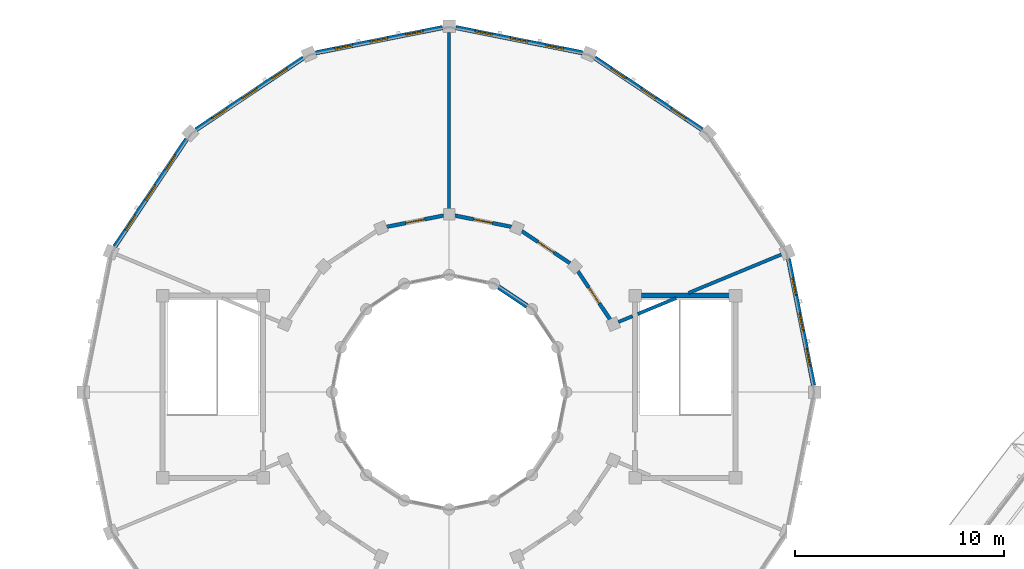
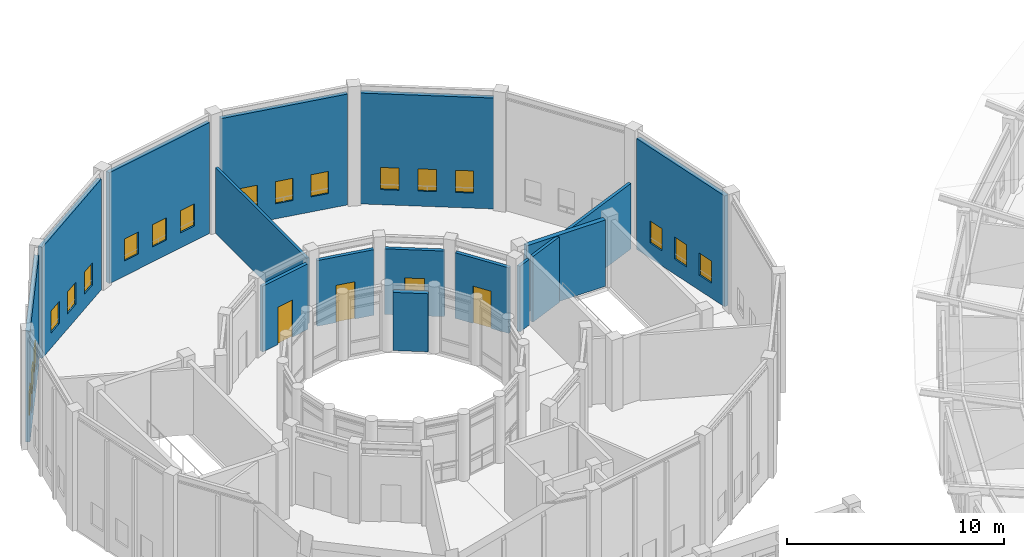
# One storey, part 129 of 149: 18 windows, 16 walls, 4 doors, 22 openings.
"""IFC4 building model written with IfcOpenShell, lengths in metres."""

from ifc_helpers import new_model, si_unit, direction, frame, frame_2d, origin, place, context, subcontext, project, spatial, rectangle, extrude, material, layer, layer_set, type_object, element, fill, save


model = new_model("IFC4")

# Units and contexts
model_context = context("Model", 3, precision=1e-05, world=origin(), true_north=direction((0.0, 1.0)))
body_context = subcontext(model_context, "Body", "Model", "MODEL_VIEW")
ifc_project = project(units=[si_unit("LENGTHUNIT", "METRE"), si_unit("AREAUNIT", "SQUARE_METRE"), si_unit("VOLUMEUNIT", "CUBIC_METRE"), si_unit("PLANEANGLEUNIT", "RADIAN"), si_unit("MASSUNIT", "GRAM", prefix="KILO")], contexts=[model_context])

# Site, building, storey
site_placement = place(None, origin())
site = spatial("IfcSite", under=ifc_project, at=site_placement, CompositionType="ELEMENT")
building_placement = place(site_placement, origin())
building = spatial("IfcBuilding", under=site, at=building_placement, Name="Celadon Cloister-Ring School", CompositionType="ELEMENT")
storey_placement = place(building_placement, frame((0.0, 0.0, 12.5)))
storey = spatial("IfcBuildingStorey", under=building, at=storey_placement, Name="L03", CompositionType="ELEMENT", Elevation=12.5)

# Wall
ifc_material_1 = material(Name="Rendered concrete blockwork", Category="masonry")
ifc_layer_1 = layer(ifc_material_1, 0.239990234375)
ifc_layer_set_1 = layer_set([ifc_layer_1], Name="Rendered concrete blockwork")
wall_type_1 = type_object("IfcWallType", Name="WT-EX3", PredefinedType="SOLIDWALL", material=ifc_layer_set_1)
wall_1_placement = place(storey_placement, frame((23.929931640625, 101.114013671875, 0.0), z_axis=(0.0, 0.0, 1.0), x_axis=(-0.83165874011, 0.555287078904, 0.0)))
element("IfcWall", 1, at=wall_1_placement, inside=storey, type_object=wall_type_1, Name="Exterior Wall 0274", PredefinedType="SOLIDWALL", context=body_context, shape_type="SweptSolid", body=[
    extrude(rectangle(XDim=1.631591796875, YDim=0.239990234375, at=frame_2d((0.81591796875, 0.0))), origin(), (0.0, 0.0, 1.0), 3.27490234375),
])

# Wall, openings, windows
ifc_material_2 = material(Name="Perforated terracotta clay brick masonry", Category="masonry")
ifc_layer_2 = layer(ifc_material_2, 0.219970703125)
ifc_layer_set_2 = layer_set([ifc_layer_2], Name="Perforated terracotta clay brick masonry")
wall_type_2 = type_object("IfcWallType", Name="WT-EX4", PredefinedType="SOLIDWALL", material=ifc_layer_set_2)
wall_2_placement = place(storey_placement, frame((36.431884765625, 103.3740234375, 0.0), z_axis=(0.0, 0.0, 1.0), x_axis=(0.195164813773, -0.980770460131, 0.0)))
wall_2 = element("IfcWall", 2, at=wall_2_placement, inside=storey, type_object=wall_type_2, Name="Exterior Wall 0271", PredefinedType="SOLIDWALL", context=body_context, shape_type="SweptSolid", body=[
    extrude(rectangle(XDim=6.169677734375, YDim=0.219970703125, at=frame_2d((3.0849609375, 0.0))), origin(), (0.0, 0.0, 1.0), 6.25),
])
opening_1_placement = place(wall_2_placement, frame((0.931884765625, 0.0, 0.85009765625)))
opening_1 = element("IfcOpeningElement", 3, at=opening_1_placement, cuts=wall_2, Name="Opening WN-11", PredefinedType="OPENING", context=body_context, shape_type="SweptSolid", body=[
    extrude(rectangle(XDim=0.85009765625, YDim=1.25, at=frame_2d((0.425048828125, 0.625))), frame((0.0, 0.1201171875, 0.0), z_axis=(0.0, -1.0, 0.0), x_axis=(1.0, 0.0, 0.0)), (0.0, 0.0, 1.0), 0.239990234375),
])
opening_2_placement = place(wall_2_placement, frame((2.659912109375, 0.0, 0.85009765625)))
opening_2 = element("IfcOpeningElement", 4, at=opening_2_placement, cuts=wall_2, Name="Opening WN-11", PredefinedType="OPENING", context=body_context, shape_type="SweptSolid", body=[
    extrude(rectangle(XDim=0.85009765625, YDim=1.25, at=frame_2d((0.425048828125, 0.625))), frame((0.0, 0.1201171875, 0.0), z_axis=(0.0, -1.0, 0.0), x_axis=(1.0, 0.0, 0.0)), (0.0, 0.0, 1.0), 0.239990234375),
])
opening_3_placement = place(wall_2_placement, frame((4.386962890625, 0.0, 0.85009765625)))
opening_3 = element("IfcOpeningElement", 5, at=opening_3_placement, cuts=wall_2, Name="Opening WN-11", PredefinedType="OPENING", context=body_context, shape_type="SweptSolid", body=[
    extrude(rectangle(XDim=0.85009765625, YDim=1.25, at=frame_2d((0.425048828125, 0.625))), frame((0.0, 0.1201171875, 0.0), z_axis=(0.0, -1.0, 0.0), x_axis=(1.0, 0.0, 0.0)), (0.0, 0.0, 1.0), 0.239990234375),
])
ifc_material_3 = material(Name="Tempered laminated insulating glass", Category="glass")
window_type = type_object("IfcWindowType", Name="WN-11", PartitioningType="SINGLE_PANEL", PredefinedType="WINDOW", material=ifc_material_3)
window_1_placement = place(opening_1_placement, origin())
window_1 = element("IfcWindow", 6, at=window_1_placement, inside=storey, type_object=window_type, Name="Window 0714", OverallHeight=1.25, OverallWidth=0.85009765625, PartitioningType="SINGLE_PANEL", PredefinedType="WINDOW", context=body_context, shape_type="SweptSolid", body=[
    extrude(rectangle(XDim=0.85009765625, YDim=1.25, at=frame_2d((0.425048828125, 0.625))), frame((0.0, 0.030029296875, 0.0), z_axis=(0.0, -1.0, 0.0), x_axis=(1.0, 0.0, 0.0)), (0.0, 0.0, 1.0), 0.06005859375),
])
fill(opening_1, window_1)
window_2_placement = place(opening_2_placement, origin())
window_2 = element("IfcWindow", 7, at=window_2_placement, inside=storey, type_object=window_type, Name="Window 0715", OverallHeight=1.25, OverallWidth=0.85009765625, PartitioningType="SINGLE_PANEL", PredefinedType="WINDOW", context=body_context, shape_type="SweptSolid", body=[
    extrude(rectangle(XDim=0.85009765625, YDim=1.25, at=frame_2d((0.425048828125, 0.625))), frame((0.0, 0.030029296875, 0.0), z_axis=(0.0, -1.0, 0.0), x_axis=(1.0, 0.0, 0.0)), (0.0, 0.0, 1.0), 0.06005859375),
])
fill(opening_2, window_2)
window_3_placement = place(opening_3_placement, origin())
window_3 = element("IfcWindow", 8, at=window_3_placement, inside=storey, type_object=window_type, Name="Window 0716", OverallHeight=1.25, OverallWidth=0.85009765625, PartitioningType="SINGLE_PANEL", PredefinedType="WINDOW", context=body_context, shape_type="SweptSolid", body=[
    extrude(rectangle(XDim=0.85009765625, YDim=1.25, at=frame_2d((0.425048828125, 0.625))), frame((0.0, 0.030029296875, 0.0), z_axis=(0.0, -1.0, 0.0), x_axis=(1.0, 0.0, 0.0)), (0.0, 0.0, 1.0), 0.06005859375),
])
fill(opening_3, window_3)

wall_3_placement = place(storey_placement, frame((27.1708984375, 112.985107421875, 0.0), z_axis=(0.0, 0.0, 1.0), x_axis=(0.831392186772, -0.55568609104, 0.0)))
wall_3 = element("IfcWall", 9, at=wall_3_placement, inside=storey, type_object=wall_type_2, Name="Exterior Wall 0273", PredefinedType="SOLIDWALL", context=body_context, shape_type="SweptSolid", body=[
    extrude(rectangle(XDim=6.16943359375, YDim=0.219970703125, at=frame_2d((3.084716796875, 0.0))), origin(), (0.0, 0.0, 1.0), 6.25),
])
opening_4_placement = place(wall_3_placement, frame((0.931884765625, 0.0, 0.85009765625)))
opening_4 = element("IfcOpeningElement", 10, at=opening_4_placement, cuts=wall_3, Name="Opening WN-11", PredefinedType="OPENING", context=body_context, shape_type="SweptSolid", body=[
    extrude(rectangle(XDim=0.85009765625, YDim=1.25, at=frame_2d((0.425048828125, 0.625))), frame((0.0, 0.1201171875, 0.0), z_axis=(0.0, -1.0, 0.0), x_axis=(1.0, 0.0, 0.0)), (0.0, 0.0, 1.0), 0.239990234375),
])
opening_5_placement = place(wall_3_placement, frame((2.659912109375, 0.0, 0.85009765625)))
opening_5 = element("IfcOpeningElement", 11, at=opening_5_placement, cuts=wall_3, Name="Opening WN-11", PredefinedType="OPENING", context=body_context, shape_type="SweptSolid", body=[
    extrude(rectangle(XDim=0.85009765625, YDim=1.25, at=frame_2d((0.425048828125, 0.625))), frame((0.0, 0.1201171875, 0.0), z_axis=(0.0, -1.0, 0.0), x_axis=(1.0, 0.0, 0.0)), (0.0, 0.0, 1.0), 0.239990234375),
])
opening_6_placement = place(wall_3_placement, frame((4.386962890625, 0.0, 0.85009765625)))
opening_6 = element("IfcOpeningElement", 12, at=opening_6_placement, cuts=wall_3, Name="Opening WN-11", PredefinedType="OPENING", context=body_context, shape_type="SweptSolid", body=[
    extrude(rectangle(XDim=0.85009765625, YDim=1.25, at=frame_2d((0.425048828125, 0.625))), frame((0.0, 0.1201171875, 0.0), z_axis=(0.0, -1.0, 0.0), x_axis=(1.0, 0.0, 0.0)), (0.0, 0.0, 1.0), 0.239990234375),
])
window_4_placement = place(opening_4_placement, origin())
window_4 = element("IfcWindow", 13, at=window_4_placement, inside=storey, type_object=window_type, Name="Window 0720", OverallHeight=1.25, OverallWidth=0.85009765625, PartitioningType="SINGLE_PANEL", PredefinedType="WINDOW", context=body_context, shape_type="SweptSolid", body=[
    extrude(rectangle(XDim=0.85009765625, YDim=1.25, at=frame_2d((0.425048828125, 0.625))), frame((0.0, 0.030029296875, 0.0), z_axis=(0.0, -1.0, 0.0), x_axis=(1.0, 0.0, 0.0)), (0.0, 0.0, 1.0), 0.06005859375),
])
fill(opening_4, window_4)
window_5_placement = place(opening_5_placement, origin())
window_5 = element("IfcWindow", 14, at=window_5_placement, inside=storey, type_object=window_type, Name="Window 0721", OverallHeight=1.25, OverallWidth=0.85009765625, PartitioningType="SINGLE_PANEL", PredefinedType="WINDOW", context=body_context, shape_type="SweptSolid", body=[
    extrude(rectangle(XDim=0.85009765625, YDim=1.25, at=frame_2d((0.425048828125, 0.625))), frame((0.0, 0.030029296875, 0.0), z_axis=(0.0, -1.0, 0.0), x_axis=(1.0, 0.0, 0.0)), (0.0, 0.0, 1.0), 0.06005859375),
])
fill(opening_5, window_5)
window_6_placement = place(opening_6_placement, origin())
window_6 = element("IfcWindow", 15, at=window_6_placement, inside=storey, type_object=window_type, Name="Window 0722", OverallHeight=1.25, OverallWidth=0.85009765625, PartitioningType="SINGLE_PANEL", PredefinedType="WINDOW", context=body_context, shape_type="SweptSolid", body=[
    extrude(rectangle(XDim=0.85009765625, YDim=1.25, at=frame_2d((0.425048828125, 0.625))), frame((0.0, 0.030029296875, 0.0), z_axis=(0.0, -1.0, 0.0), x_axis=(1.0, 0.0, 0.0)), (0.0, 0.0, 1.0), 0.06005859375),
])
fill(opening_6, window_6)

wall_4_placement = place(storey_placement, frame((20.52294921875, 114.43603515625, 0.0), z_axis=(0.0, 0.0, 1.0), x_axis=(0.980770460131, -0.195164813773, 0.0)))
wall_4 = element("IfcWall", 16, at=wall_4_placement, inside=storey, type_object=wall_type_2, Name="Exterior Wall 0275", PredefinedType="SOLIDWALL", context=body_context, shape_type="SweptSolid", body=[
    extrude(rectangle(XDim=6.169677734375, YDim=0.219970703125, at=frame_2d((3.0849609375, 0.0))), origin(), (0.0, 0.0, 1.0), 6.25),
])
opening_7_placement = place(wall_4_placement, frame((0.931884765625, 0.0, 0.85009765625)))
opening_7 = element("IfcOpeningElement", 17, at=opening_7_placement, cuts=wall_4, Name="Opening WN-11", PredefinedType="OPENING", context=body_context, shape_type="SweptSolid", body=[
    extrude(rectangle(XDim=0.85009765625, YDim=1.25, at=frame_2d((0.425048828125, 0.625))), frame((0.0, 0.1201171875, 0.0), z_axis=(0.0, -1.0, 0.0), x_axis=(1.0, 0.0, 0.0)), (0.0, 0.0, 1.0), 0.239990234375),
])
opening_8_placement = place(wall_4_placement, frame((2.659912109375, 0.0, 0.85009765625)))
opening_8 = element("IfcOpeningElement", 18, at=opening_8_placement, cuts=wall_4, Name="Opening WN-11", PredefinedType="OPENING", context=body_context, shape_type="SweptSolid", body=[
    extrude(rectangle(XDim=0.85009765625, YDim=1.25, at=frame_2d((0.425048828125, 0.625))), frame((0.0, 0.1201171875, 0.0), z_axis=(0.0, -1.0, 0.0), x_axis=(1.0, 0.0, 0.0)), (0.0, 0.0, 1.0), 0.239990234375),
])
opening_9_placement = place(wall_4_placement, frame((4.386962890625, 0.0, 0.85009765625)))
opening_9 = element("IfcOpeningElement", 19, at=opening_9_placement, cuts=wall_4, Name="Opening WN-11", PredefinedType="OPENING", context=body_context, shape_type="SweptSolid", body=[
    extrude(rectangle(XDim=0.85009765625, YDim=1.25, at=frame_2d((0.425048828125, 0.625))), frame((0.0, 0.1201171875, 0.0), z_axis=(0.0, -1.0, 0.0), x_axis=(1.0, 0.0, 0.0)), (0.0, 0.0, 1.0), 0.239990234375),
])
window_7_placement = place(opening_7_placement, origin())
window_7 = element("IfcWindow", 20, at=window_7_placement, inside=storey, type_object=window_type, Name="Window 0723", OverallHeight=1.25, OverallWidth=0.85009765625, PartitioningType="SINGLE_PANEL", PredefinedType="WINDOW", context=body_context, shape_type="SweptSolid", body=[
    extrude(rectangle(XDim=0.85009765625, YDim=1.25, at=frame_2d((0.425048828125, 0.625))), frame((0.0, 0.030029296875, 0.0), z_axis=(0.0, -1.0, 0.0), x_axis=(1.0, 0.0, 0.0)), (0.0, 0.0, 1.0), 0.06005859375),
])
fill(opening_7, window_7)
window_8_placement = place(opening_8_placement, origin())
window_8 = element("IfcWindow", 21, at=window_8_placement, inside=storey, type_object=window_type, Name="Window 0724", OverallHeight=1.25, OverallWidth=0.85009765625, PartitioningType="SINGLE_PANEL", PredefinedType="WINDOW", context=body_context, shape_type="SweptSolid", body=[
    extrude(rectangle(XDim=0.85009765625, YDim=1.25, at=frame_2d((0.425048828125, 0.625))), frame((0.0, 0.030029296875, 0.0), z_axis=(0.0, -1.0, 0.0), x_axis=(1.0, 0.0, 0.0)), (0.0, 0.0, 1.0), 0.06005859375),
])
fill(opening_8, window_8)
window_9_placement = place(opening_9_placement, origin())
window_9 = element("IfcWindow", 22, at=window_9_placement, inside=storey, type_object=window_type, Name="Window 0725", OverallHeight=1.25, OverallWidth=0.85009765625, PartitioningType="SINGLE_PANEL", PredefinedType="WINDOW", context=body_context, shape_type="SweptSolid", body=[
    extrude(rectangle(XDim=0.85009765625, YDim=1.25, at=frame_2d((0.425048828125, 0.625))), frame((0.0, 0.030029296875, 0.0), z_axis=(0.0, -1.0, 0.0), x_axis=(1.0, 0.0, 0.0)), (0.0, 0.0, 1.0), 0.06005859375),
])
fill(opening_9, window_9)

wall_5_placement = place(storey_placement, frame((13.825927734375, 113.23193359375, 0.0), z_axis=(0.0, 0.0, 1.0), x_axis=(0.980770460131, 0.195164813773, 0.0)))
wall_5 = element("IfcWall", 23, at=wall_5_placement, inside=storey, type_object=wall_type_2, Name="Exterior Wall 0276", PredefinedType="SOLIDWALL", context=body_context, shape_type="SweptSolid", body=[
    extrude(rectangle(XDim=6.169677734375, YDim=0.219970703125, at=frame_2d((3.0849609375, 0.0))), origin(), (0.0, 0.0, 1.0), 6.25),
])
opening_10_placement = place(wall_5_placement, frame((0.931884765625, 0.0, 0.85009765625)))
opening_10 = element("IfcOpeningElement", 24, at=opening_10_placement, cuts=wall_5, Name="Opening WN-11", PredefinedType="OPENING", context=body_context, shape_type="SweptSolid", body=[
    extrude(rectangle(XDim=0.85009765625, YDim=1.25, at=frame_2d((0.425048828125, 0.625))), frame((0.0, 0.1201171875, 0.0), z_axis=(0.0, -1.0, 0.0), x_axis=(1.0, 0.0, 0.0)), (0.0, 0.0, 1.0), 0.239990234375),
])
opening_11_placement = place(wall_5_placement, frame((2.659912109375, 0.0, 0.85009765625)))
opening_11 = element("IfcOpeningElement", 25, at=opening_11_placement, cuts=wall_5, Name="Opening WN-11", PredefinedType="OPENING", context=body_context, shape_type="SweptSolid", body=[
    extrude(rectangle(XDim=0.85009765625, YDim=1.25, at=frame_2d((0.425048828125, 0.625))), frame((0.0, 0.1201171875, 0.0), z_axis=(0.0, -1.0, 0.0), x_axis=(1.0, 0.0, 0.0)), (0.0, 0.0, 1.0), 0.239990234375),
])
opening_12_placement = place(wall_5_placement, frame((4.386962890625, 0.0, 0.85009765625)))
opening_12 = element("IfcOpeningElement", 26, at=opening_12_placement, cuts=wall_5, Name="Opening WN-11", PredefinedType="OPENING", context=body_context, shape_type="SweptSolid", body=[
    extrude(rectangle(XDim=0.85009765625, YDim=1.25, at=frame_2d((0.425048828125, 0.625))), frame((0.0, 0.1201171875, 0.0), z_axis=(0.0, -1.0, 0.0), x_axis=(1.0, 0.0, 0.0)), (0.0, 0.0, 1.0), 0.239990234375),
])
window_10_placement = place(opening_10_placement, origin())
window_10 = element("IfcWindow", 27, at=window_10_placement, inside=storey, type_object=window_type, Name="Window 0726", OverallHeight=1.25, OverallWidth=0.85009765625, PartitioningType="SINGLE_PANEL", PredefinedType="WINDOW", context=body_context, shape_type="SweptSolid", body=[
    extrude(rectangle(XDim=0.85009765625, YDim=1.25, at=frame_2d((0.425048828125, 0.625))), frame((0.0, 0.030029296875, 0.0), z_axis=(0.0, -1.0, 0.0), x_axis=(1.0, 0.0, 0.0)), (0.0, 0.0, 1.0), 0.06005859375),
])
fill(opening_10, window_10)
window_11_placement = place(opening_11_placement, origin())
window_11 = element("IfcWindow", 28, at=window_11_placement, inside=storey, type_object=window_type, Name="Window 0727", OverallHeight=1.25, OverallWidth=0.85009765625, PartitioningType="SINGLE_PANEL", PredefinedType="WINDOW", context=body_context, shape_type="SweptSolid", body=[
    extrude(rectangle(XDim=0.85009765625, YDim=1.25, at=frame_2d((0.425048828125, 0.625))), frame((0.0, 0.030029296875, 0.0), z_axis=(0.0, -1.0, 0.0), x_axis=(1.0, 0.0, 0.0)), (0.0, 0.0, 1.0), 0.06005859375),
])
fill(opening_11, window_11)
window_12_placement = place(opening_12_placement, origin())
window_12 = element("IfcWindow", 29, at=window_12_placement, inside=storey, type_object=window_type, Name="Window 0728", OverallHeight=1.25, OverallWidth=0.85009765625, PartitioningType="SINGLE_PANEL", PredefinedType="WINDOW", context=body_context, shape_type="SweptSolid", body=[
    extrude(rectangle(XDim=0.85009765625, YDim=1.25, at=frame_2d((0.425048828125, 0.625))), frame((0.0, 0.030029296875, 0.0), z_axis=(0.0, -1.0, 0.0), x_axis=(1.0, 0.0, 0.0)), (0.0, 0.0, 1.0), 0.06005859375),
])
fill(opening_12, window_12)

wall_6_placement = place(storey_placement, frame((8.10009765625, 109.556884765625, 0.0), z_axis=(0.0, 0.0, 1.0), x_axis=(0.831379966495, 0.555704374025, 0.0)))
wall_6 = element("IfcWall", 30, at=wall_6_placement, inside=storey, type_object=wall_type_2, Name="Exterior Wall 0277", PredefinedType="SOLIDWALL", context=body_context, shape_type="SweptSolid", body=[
    extrude(rectangle(XDim=6.169189453125, YDim=0.219970703125, at=frame_2d((3.08447265625, 0.0))), origin(), (0.0, 0.0, 1.0), 6.25),
])
opening_13_placement = place(wall_6_placement, frame((0.931884765625, 0.0, 0.85009765625)))
opening_13 = element("IfcOpeningElement", 31, at=opening_13_placement, cuts=wall_6, Name="Opening WN-11", PredefinedType="OPENING", context=body_context, shape_type="SweptSolid", body=[
    extrude(rectangle(XDim=0.85009765625, YDim=1.25, at=frame_2d((0.425048828125, 0.625))), frame((0.0, 0.1201171875, 0.0), z_axis=(0.0, -1.0, 0.0), x_axis=(1.0, 0.0, 0.0)), (0.0, 0.0, 1.0), 0.239990234375),
])
opening_14_placement = place(wall_6_placement, frame((2.659912109375, 0.0, 0.85009765625)))
opening_14 = element("IfcOpeningElement", 32, at=opening_14_placement, cuts=wall_6, Name="Opening WN-11", PredefinedType="OPENING", context=body_context, shape_type="SweptSolid", body=[
    extrude(rectangle(XDim=0.85009765625, YDim=1.25, at=frame_2d((0.425048828125, 0.625))), frame((0.0, 0.1201171875, 0.0), z_axis=(0.0, -1.0, 0.0), x_axis=(1.0, 0.0, 0.0)), (0.0, 0.0, 1.0), 0.239990234375),
])
opening_15_placement = place(wall_6_placement, frame((4.386962890625, 0.0, 0.85009765625)))
opening_15 = element("IfcOpeningElement", 33, at=opening_15_placement, cuts=wall_6, Name="Opening WN-11", PredefinedType="OPENING", context=body_context, shape_type="SweptSolid", body=[
    extrude(rectangle(XDim=0.85009765625, YDim=1.25, at=frame_2d((0.425048828125, 0.625))), frame((0.0, 0.1201171875, 0.0), z_axis=(0.0, -1.0, 0.0), x_axis=(1.0, 0.0, 0.0)), (0.0, 0.0, 1.0), 0.239990234375),
])
window_13_placement = place(opening_13_placement, origin())
window_13 = element("IfcWindow", 34, at=window_13_placement, inside=storey, type_object=window_type, Name="Window 0729", OverallHeight=1.25, OverallWidth=0.85009765625, PartitioningType="SINGLE_PANEL", PredefinedType="WINDOW", context=body_context, shape_type="SweptSolid", body=[
    extrude(rectangle(XDim=0.85009765625, YDim=1.25, at=frame_2d((0.425048828125, 0.625))), frame((0.0, 0.030029296875, 0.0), z_axis=(0.0, -1.0, 0.0), x_axis=(1.0, 0.0, 0.0)), (0.0, 0.0, 1.0), 0.06005859375),
])
fill(opening_13, window_13)
window_14_placement = place(opening_14_placement, origin())
window_14 = element("IfcWindow", 35, at=window_14_placement, inside=storey, type_object=window_type, Name="Window 0730", OverallHeight=1.25, OverallWidth=0.85009765625, PartitioningType="SINGLE_PANEL", PredefinedType="WINDOW", context=body_context, shape_type="SweptSolid", body=[
    extrude(rectangle(XDim=0.85009765625, YDim=1.25, at=frame_2d((0.425048828125, 0.625))), frame((0.0, 0.030029296875, 0.0), z_axis=(0.0, -1.0, 0.0), x_axis=(1.0, 0.0, 0.0)), (0.0, 0.0, 1.0), 0.06005859375),
])
fill(opening_14, window_14)
window_15_placement = place(opening_15_placement, origin())
window_15 = element("IfcWindow", 36, at=window_15_placement, inside=storey, type_object=window_type, Name="Window 0731", OverallHeight=1.25, OverallWidth=0.85009765625, PartitioningType="SINGLE_PANEL", PredefinedType="WINDOW", context=body_context, shape_type="SweptSolid", body=[
    extrude(rectangle(XDim=0.85009765625, YDim=1.25, at=frame_2d((0.425048828125, 0.625))), frame((0.0, 0.030029296875, 0.0), z_axis=(0.0, -1.0, 0.0), x_axis=(1.0, 0.0, 0.0)), (0.0, 0.0, 1.0), 0.06005859375),
])
fill(opening_15, window_15)

wall_7_placement = place(storey_placement, frame((4.215087890625, 103.970947265625, 0.0), z_axis=(0.0, 0.0, 1.0), x_axis=(0.555658736667, 0.831410469242, 0.0)))
wall_7 = element("IfcWall", 37, at=wall_7_placement, inside=storey, type_object=wall_type_2, Name="Exterior Wall 0278", PredefinedType="SOLIDWALL", context=body_context, shape_type="SweptSolid", body=[
    extrude(rectangle(XDim=6.169189453125, YDim=0.219970703125, at=frame_2d((3.08447265625, 0.0))), origin(), (0.0, 0.0, 1.0), 6.25),
])
opening_16_placement = place(wall_7_placement, frame((0.931884765625, 0.0, 0.85009765625)))
opening_16 = element("IfcOpeningElement", 38, at=opening_16_placement, cuts=wall_7, Name="Opening WN-11", PredefinedType="OPENING", context=body_context, shape_type="SweptSolid", body=[
    extrude(rectangle(XDim=0.85009765625, YDim=1.25, at=frame_2d((0.425048828125, 0.625))), frame((0.0, 0.1201171875, 0.0), z_axis=(0.0, -1.0, 0.0), x_axis=(1.0, 0.0, 0.0)), (0.0, 0.0, 1.0), 0.239990234375),
])
opening_17_placement = place(wall_7_placement, frame((2.659912109375, 0.0, 0.85009765625)))
opening_17 = element("IfcOpeningElement", 39, at=opening_17_placement, cuts=wall_7, Name="Opening WN-11", PredefinedType="OPENING", context=body_context, shape_type="SweptSolid", body=[
    extrude(rectangle(XDim=0.85009765625, YDim=1.25, at=frame_2d((0.425048828125, 0.625))), frame((0.0, 0.1201171875, 0.0), z_axis=(0.0, -1.0, 0.0), x_axis=(1.0, 0.0, 0.0)), (0.0, 0.0, 1.0), 0.239990234375),
])
opening_18_placement = place(wall_7_placement, frame((4.386962890625, 0.0, 0.85009765625)))
opening_18 = element("IfcOpeningElement", 40, at=opening_18_placement, cuts=wall_7, Name="Opening WN-11", PredefinedType="OPENING", context=body_context, shape_type="SweptSolid", body=[
    extrude(rectangle(XDim=0.85009765625, YDim=1.25, at=frame_2d((0.425048828125, 0.625))), frame((0.0, 0.1201171875, 0.0), z_axis=(0.0, -1.0, 0.0), x_axis=(1.0, 0.0, 0.0)), (0.0, 0.0, 1.0), 0.239990234375),
])
window_16_placement = place(opening_16_placement, origin())
window_16 = element("IfcWindow", 41, at=window_16_placement, inside=storey, type_object=window_type, Name="Window 0732", OverallHeight=1.25, OverallWidth=0.85009765625, PartitioningType="SINGLE_PANEL", PredefinedType="WINDOW", context=body_context, shape_type="SweptSolid", body=[
    extrude(rectangle(XDim=0.85009765625, YDim=1.25, at=frame_2d((0.425048828125, 0.625))), frame((0.0, 0.030029296875, 0.0), z_axis=(0.0, -1.0, 0.0), x_axis=(1.0, 0.0, 0.0)), (0.0, 0.0, 1.0), 0.06005859375),
])
fill(opening_16, window_16)
window_17_placement = place(opening_17_placement, origin())
window_17 = element("IfcWindow", 42, at=window_17_placement, inside=storey, type_object=window_type, Name="Window 0733", OverallHeight=1.25, OverallWidth=0.85009765625, PartitioningType="SINGLE_PANEL", PredefinedType="WINDOW", context=body_context, shape_type="SweptSolid", body=[
    extrude(rectangle(XDim=0.85009765625, YDim=1.25, at=frame_2d((0.425048828125, 0.625))), frame((0.0, 0.030029296875, 0.0), z_axis=(0.0, -1.0, 0.0), x_axis=(1.0, 0.0, 0.0)), (0.0, 0.0, 1.0), 0.06005859375),
])
fill(opening_17, window_17)
window_18_placement = place(opening_18_placement, origin())
window_18 = element("IfcWindow", 43, at=window_18_placement, inside=storey, type_object=window_type, Name="Window 0734", OverallHeight=1.25, OverallWidth=0.85009765625, PartitioningType="SINGLE_PANEL", PredefinedType="WINDOW", context=body_context, shape_type="SweptSolid", body=[
    extrude(rectangle(XDim=0.85009765625, YDim=1.25, at=frame_2d((0.425048828125, 0.625))), frame((0.0, 0.030029296875, 0.0), z_axis=(0.0, -1.0, 0.0), x_axis=(1.0, 0.0, 0.0)), (0.0, 0.0, 1.0), 0.06005859375),
])
fill(opening_18, window_18)

# Wall, opening, door
ifc_material_4 = material(Name="Plastered hollow concrete masonry", Category="masonry")
ifc_layer_3 = layer(ifc_material_4, 0.179931640625)
ifc_layer_set_3 = layer_set([ifc_layer_3], Name="Plastered hollow concrete masonry")
wall_type_3 = type_object("IfcWallType", Name="WT-PT2", PredefinedType="PARTITIONING", material=ifc_layer_set_3)
wall_8_placement = place(storey_placement, frame((27.902099609375, 100.47900390625, 0.0), z_axis=(0.0, 0.0, 1.0), x_axis=(-0.555797002478, 0.831318045056, 0.0)))
wall_8 = element("IfcWall", 44, at=wall_8_placement, inside=storey, type_object=wall_type_3, Name="Interior Wall 0748", PredefinedType="PARTITIONING", context=body_context, shape_type="SweptSolid", body=[
    extrude(rectangle(XDim=2.772705078125, YDim=0.179931640625, at=frame_2d((1.38623046875, 0.0))), origin(), (0.0, 0.0, 1.0), 3.699951171875),
])
opening_19_placement = place(wall_8_placement, frame((0.926025390625, 0.0, 0.0)))
opening_19 = element("IfcOpeningElement", 45, at=opening_19_placement, cuts=wall_8, Name="Opening D-0269", PredefinedType="OPENING", context=body_context, shape_type="SweptSolid", body=[
    extrude(rectangle(XDim=0.919921875, YDim=2.10009765625, at=frame_2d((0.4599609375, 1.050048828125))), frame((0.0, 0.10009765625, 0.0), z_axis=(0.0, -1.0, 0.0), x_axis=(1.0, 0.0, 0.0)), (0.0, 0.0, 1.0), 0.199951171875),
])
ifc_material_5 = material(Name="Solid-core fire-rated hardwood leaf", Category="wood")
door_type = type_object("IfcDoorType", Name="DT-02", OperationType="NOTDEFINED", PredefinedType="DOOR", material=ifc_material_5)
door_1_placement = place(opening_19_placement, origin())
door_1 = element("IfcDoor", 46, at=door_1_placement, inside=storey, type_object=door_type, Name="Door D-0269", OperationType="SINGLE_SWING_LEFT", OverallHeight=2.10009765625, OverallWidth=0.919921875, PredefinedType="DOOR", context=body_context, shape_type="SweptSolid", body=[
    extrude(rectangle(XDim=0.919921875, YDim=2.10009765625, at=frame_2d((0.4599609375, 1.050048828125))), frame((0.0, 0.02490234375, 0.0), z_axis=(0.0, -1.0, 0.0), x_axis=(1.0, 0.0, 0.0)), (0.0, 0.0, 1.0), 0.050048828125),
])
fill(opening_19, door_1)

wall_9_placement = place(storey_placement, frame((25.98388671875, 103.160888671875, 0.0), z_axis=(0.0, 0.0, 1.0), x_axis=(-0.831318045056, 0.555797002478, 0.0)))
wall_9 = element("IfcWall", 47, at=wall_9_placement, inside=storey, type_object=wall_type_3, Name="Interior Wall 0749", PredefinedType="PARTITIONING", context=body_context, shape_type="SweptSolid", body=[
    extrude(rectangle(XDim=2.772705078125, YDim=0.179931640625, at=frame_2d((1.38623046875, 0.0))), origin(), (0.0, 0.0, 1.0), 3.699951171875),
])
opening_20_placement = place(wall_9_placement, frame((0.926025390625, 0.0, 0.0)))
opening_20 = element("IfcOpeningElement", 48, at=opening_20_placement, cuts=wall_9, Name="Opening D-0270", PredefinedType="OPENING", context=body_context, shape_type="SweptSolid", body=[
    extrude(rectangle(XDim=0.919921875, YDim=2.10009765625, at=frame_2d((0.4599609375, 1.050048828125))), frame((0.0, 0.10009765625, 0.0), z_axis=(0.0, -1.0, 0.0), x_axis=(1.0, 0.0, 0.0)), (0.0, 0.0, 1.0), 0.199951171875),
])
door_2_placement = place(opening_20_placement, origin())
door_2 = element("IfcDoor", 49, at=door_2_placement, inside=storey, type_object=door_type, Name="Door D-0270", OperationType="SINGLE_SWING_RIGHT", OverallHeight=2.10009765625, OverallWidth=0.919921875, PredefinedType="DOOR", context=body_context, shape_type="SweptSolid", body=[
    extrude(rectangle(XDim=0.919921875, YDim=2.10009765625, at=frame_2d((0.4599609375, 1.050048828125))), frame((0.0, 0.02490234375, 0.0), z_axis=(0.0, -1.0, 0.0), x_axis=(1.0, 0.0, 0.0)), (0.0, 0.0, 1.0), 0.050048828125),
])
fill(opening_20, door_2)

wall_10_placement = place(storey_placement, frame((23.18603515625, 104.906005859375, 0.0), z_axis=(0.0, 0.0, 1.0), x_axis=(-0.980773264811, 0.195150718759, 0.0)))
wall_10 = element("IfcWall", 50, at=wall_10_placement, inside=storey, type_object=wall_type_3, Name="Interior Wall 0750", PredefinedType="PARTITIONING", context=body_context, shape_type="SweptSolid", body=[
    extrude(rectangle(XDim=2.772216796875, YDim=0.179931640625, at=frame_2d((1.38623046875, 0.0))), origin(), (0.0, 0.0, 1.0), 3.699951171875),
])
opening_21_placement = place(wall_10_placement, frame((0.926025390625, 0.0, 0.0)))
opening_21 = element("IfcOpeningElement", 51, at=opening_21_placement, cuts=wall_10, Name="Opening D-0271", PredefinedType="OPENING", context=body_context, shape_type="SweptSolid", body=[
    extrude(rectangle(XDim=0.919921875, YDim=2.10009765625, at=frame_2d((0.4599609375, 1.050048828125))), frame((0.0, 0.10009765625, 0.0), z_axis=(0.0, -1.0, 0.0), x_axis=(1.0, 0.0, 0.0)), (0.0, 0.0, 1.0), 0.199951171875),
])
door_3_placement = place(opening_21_placement, origin())
door_3 = element("IfcDoor", 52, at=door_3_placement, inside=storey, type_object=door_type, Name="Door D-0271", OperationType="SINGLE_SWING_LEFT", OverallHeight=2.10009765625, OverallWidth=0.919921875, PredefinedType="DOOR", context=body_context, shape_type="SweptSolid", body=[
    extrude(rectangle(XDim=0.919921875, YDim=2.10009765625, at=frame_2d((0.4599609375, 1.050048828125))), frame((0.0, 0.02490234375, 0.0), z_axis=(0.0, -1.0, 0.0), x_axis=(1.0, 0.0, 0.0)), (0.0, 0.0, 1.0), 0.050048828125),
])
fill(opening_21, door_3)

wall_11_placement = place(storey_placement, frame((19.93310546875, 105.447021484375, 0.0), z_axis=(0.0, 0.0, 1.0), x_axis=(-0.980773264811, -0.195150718759, 0.0)))
wall_11 = element("IfcWall", 53, at=wall_11_placement, inside=storey, type_object=wall_type_3, Name="Interior Wall 0751", PredefinedType="PARTITIONING", context=body_context, shape_type="SweptSolid", body=[
    extrude(rectangle(XDim=2.772216796875, YDim=0.179931640625, at=frame_2d((1.38623046875, 0.0))), origin(), (0.0, 0.0, 1.0), 3.699951171875),
])
opening_22_placement = place(wall_11_placement, frame((0.926025390625, 0.0, 0.0)))
opening_22 = element("IfcOpeningElement", 54, at=opening_22_placement, cuts=wall_11, Name="Opening D-0272", PredefinedType="OPENING", context=body_context, shape_type="SweptSolid", body=[
    extrude(rectangle(XDim=0.919921875, YDim=2.10009765625, at=frame_2d((0.4599609375, 1.050048828125))), frame((0.0, 0.10009765625, 0.0), z_axis=(0.0, -1.0, 0.0), x_axis=(1.0, 0.0, 0.0)), (0.0, 0.0, 1.0), 0.199951171875),
])
door_4_placement = place(opening_22_placement, origin())
door_4 = element("IfcDoor", 55, at=door_4_placement, inside=storey, type_object=door_type, Name="Door D-0272", OperationType="SINGLE_SWING_RIGHT", OverallHeight=2.10009765625, OverallWidth=0.919921875, PredefinedType="DOOR", context=body_context, shape_type="SweptSolid", body=[
    extrude(rectangle(XDim=0.919921875, YDim=2.10009765625, at=frame_2d((0.4599609375, 1.050048828125))), frame((0.0, 0.02490234375, 0.0), z_axis=(0.0, -1.0, 0.0), x_axis=(1.0, 0.0, 0.0)), (0.0, 0.0, 1.0), 0.050048828125),
])
fill(opening_22, door_4)

# Walls
ifc_material_6 = material(Name="Plastered hollow concrete masonry", Category="masonry")
ifc_layer_4 = layer(ifc_material_6, 0.159912109375)
ifc_layer_set_4 = layer_set([ifc_layer_4], Name="Plastered hollow concrete masonry")
wall_type_4 = type_object("IfcWallType", Name="WT-PT3", PredefinedType="PARTITIONING", material=ifc_layer_set_4)
wall_12_placement = place(storey_placement, frame((28.300048828125, 100.35498046875, 0.0), z_axis=(0.0, 0.0, 1.0), x_axis=(0.924069600435, 0.382224245113, 0.0)))
element("IfcWall", 56, at=wall_12_placement, inside=storey, type_object=wall_type_4, Name="Interior Wall 0731", PredefinedType="PARTITIONING", context=body_context, shape_type="SweptSolid", body=[
    extrude(rectangle(XDim=0.732666015625, YDim=0.159912109375, at=frame_2d((0.3662109375, 0.0))), origin(), (0.0, 0.0, 1.0), 3.699951171875),
])
wall_13_placement = place(storey_placement, frame((29.222900390625, 100.737060546875, 0.0), z_axis=(0.0, 0.0, 1.0), x_axis=(0.923817443679, 0.382833293686, 0.0)))
element("IfcWall", 57, at=wall_13_placement, inside=storey, type_object=wall_type_4, Name="Interior Wall 0732", PredefinedType="PARTITIONING", context=body_context, shape_type="SweptSolid", body=[
    extrude(rectangle(XDim=1.985107421875, YDim=0.159912109375, at=frame_2d((0.99267578125, 0.0))), origin(), (0.0, 0.0, 1.0), 3.699951171875),
])
wall_14_placement = place(storey_placement, frame((31.65087890625, 101.742919921875, 0.0), z_axis=(0.0, 0.0, 1.0), x_axis=(0.923877739946, 0.382687759972, 0.0)))
element("IfcWall", 58, at=wall_14_placement, inside=storey, type_object=wall_type_4, Name="Interior Wall 0733", PredefinedType="PARTITIONING", context=body_context, shape_type="SweptSolid", body=[
    extrude(rectangle(XDim=4.8134765625, YDim=0.159912109375, at=frame_2d((2.40673828125, 0.0))), origin(), (0.0, 0.0, 1.0), 3.699951171875),
])
ifc_material_7 = material(Name="Acoustic mineral-wool drywall partition")
ifc_layer_5 = layer(ifc_material_7, 0.139892578125)
ifc_layer_set_5 = layer_set([ifc_layer_5], Name="Acoustic mineral-wool drywall partition")
wall_type_5 = type_object("IfcWallType", Name="WT-PT4", PredefinedType="PARTITIONING", material=ifc_layer_set_5)
wall_15_placement = place(storey_placement, frame((20.199951171875, 105.76708984375, 0.0), z_axis=(0.0, 0.0, 1.0), x_axis=(0.0, 1.0, 0.0)))
element("IfcWall", 59, at=wall_15_placement, inside=storey, type_object=wall_type_5, Name="Interior Wall 0734", PredefinedType="PARTITIONING", context=body_context, shape_type="SweptSolid", body=[
    extrude(rectangle(XDim=8.44091796875, YDim=0.139892578125, at=frame_2d((4.220458984375, 0.0))), origin(), (0.0, 0.0, 1.0), 3.699951171875),
])
ifc_material_8 = material(Name="Concrete C40/50", Category="concrete")
ifc_layer_6 = layer(ifc_material_8, 0.239990234375)
ifc_layer_set_6 = layer_set([ifc_layer_6], Name="Concrete C40/50")
wall_type_6 = type_object("IfcWallType", Name="WT-SH1", PredefinedType="SHEAR", material=ifc_layer_set_6)
wall_16_placement = place(storey_placement, frame((33.60791015625, 101.6201171875, 0.0), z_axis=(0.0, 0.0, 1.0), x_axis=(-1.0, 0.0, 0.0)))
element("IfcWall", 60, at=wall_16_placement, inside=storey, type_object=wall_type_6, Name="Interior Wall 0112", PredefinedType="SHEAR", context=body_context, shape_type="SweptSolid", body=[
    extrude(rectangle(XDim=4.2158203125, YDim=0.239990234375, at=frame_2d((2.10791015625, 0.0))), origin(), (0.0, 0.0, 1.0), 3.739990234375),
])

save(model, "model.ifc")
